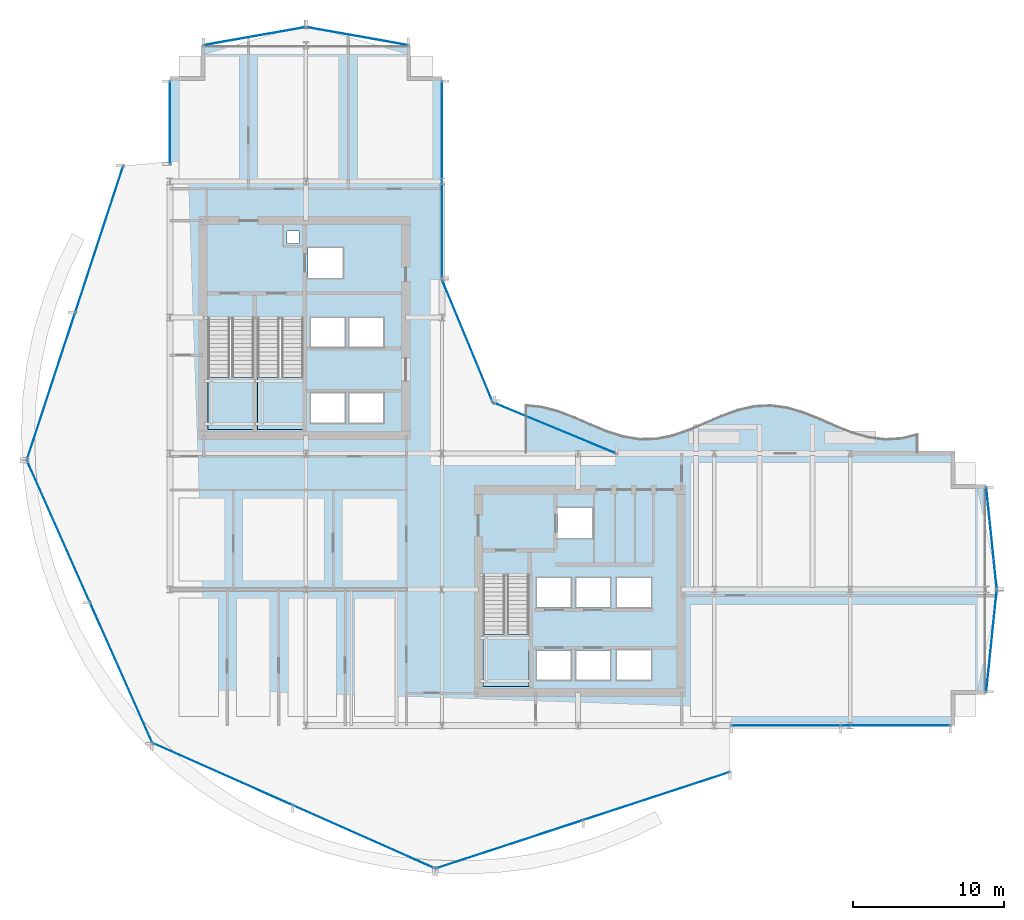
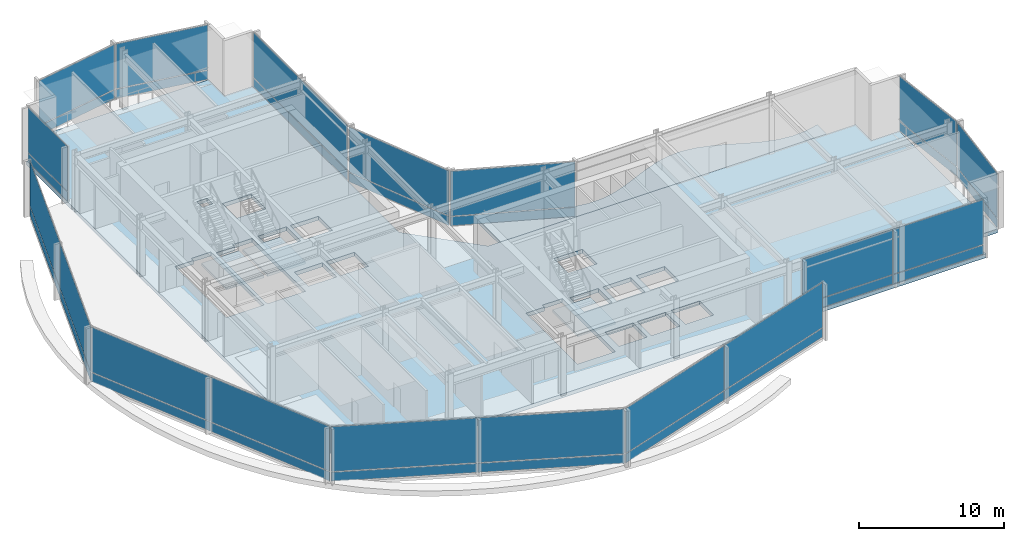
# One storey, part 28 of 39: 36 plates, 5 slabs, 16 elements without a shape of their own.
"""IFC4 building model written with IfcOpenShell, lengths in metres."""

import ifcopenshell
import ifcopenshell.guid

model = None  # the IFC model being written
_history = None  # IfcOwnerHistory: only IFC2X3 demands one
_inside = {}  # id of a spatial element -> (the spatial element, [elements in it])
_under = {}  # id of a project, library or spatial element -> (it, [spatial elements below it])
_declared = {}  # id of a project -> (the project, [libraries it declares])
_typed = {}  # id of a type object -> (the type object, [elements of that type])
_made_of = {}  # id of a material, layer set ... -> (it, [elements and type objects made of it])


def new_model(schema):
    """Start an empty IFC model of exactly this schema.

    Asked for "IFC4X3", IfcOpenShell would pick the latest addendum, in which some entities
    have other attributes; the version numbers below select the first issue.
    IFC2X3 requires an IfcOwnerHistory on every rooted entity: one is made here for all.
    """
    global model, _history
    if schema == "IFC4X3":
        model = ifcopenshell.file(schema_version=(4, 3, 0, 0))
    else:
        model = ifcopenshell.file(schema=schema)
    _inside.clear()
    _under.clear()
    _declared.clear()
    _typed.clear()
    _made_of.clear()
    _history = None
    if model.schema == "IFC2X3":
        org = make("IfcOrganization", Name="unknown")
        user = make(
            "IfcPersonAndOrganization",
            ThePerson=make("IfcPerson", FamilyName="unknown"),
            TheOrganization=org,
        )
        app = make(
            "IfcApplication",
            ApplicationDeveloper=org,
            Version="unknown",
            ApplicationFullName="unknown",
            ApplicationIdentifier="unknown",
        )
        _history = make(
            "IfcOwnerHistory",
            OwningUser=user,
            OwningApplication=app,
            ChangeAction="ADDED",
            CreationDate=0,
        )
    return model


def make(cls, **values):
    """One entity of the class cls with the attributes given. An attribute that is None is left unset."""
    return model.create_entity(
        cls, **{name: value for name, value in values.items() if value is not None}
    )


def rooted(cls, **values):
    """An entity with a GlobalId (a new one), such as an element, a storey or a relation."""
    return make(cls, GlobalId=ifcopenshell.guid.new(), OwnerHistory=_history, **values)


def si_unit(unit_type, name, prefix=None):
    """IfcSIUnit, for example si_unit("LENGTHUNIT", "METRE", prefix="MILLI")."""
    return make("IfcSIUnit", UnitType=unit_type, Prefix=prefix, Name=name)


def assignment(units):
    """IfcUnitAssignment: the units of a project."""
    return None if units is None else make("IfcUnitAssignment", Units=units)


def point(xyz):
    """IfcCartesianPoint."""
    return None if xyz is None else make("IfcCartesianPoint", Coordinates=xyz)


def direction(xyz):
    """IfcDirection."""
    return None if xyz is None else make("IfcDirection", DirectionRatios=xyz)


def frame(location, z_axis=None, x_axis=None):
    """IfcAxis2Placement3D, a coordinate frame: its origin and axes. An axis left out is left unset."""
    return make(
        "IfcAxis2Placement3D",
        Location=point(location),
        Axis=direction(z_axis),
        RefDirection=direction(x_axis),
    )


def frame_2d(location, x_axis=None):
    """IfcAxis2Placement2D, a coordinate frame in the plane: its origin and x axis."""
    return make(
        "IfcAxis2Placement2D", Location=point(location), RefDirection=direction(x_axis)
    )


def origin():
    """The frame at (0, 0, 0) with its axes left unset."""
    return frame((0.0, 0.0, 0.0))


def origin_2d():
    """The frame at (0, 0) in the plane with its x axis left unset."""
    return frame_2d((0.0, 0.0))


def place(relative_to, where):
    """IfcLocalPlacement: puts the frame where relative to a parent placement (None: the world)."""
    return make(
        "IfcLocalPlacement", PlacementRelTo=relative_to, RelativePlacement=where
    )


def context(
    kind, dimensions, precision=None, world=None, true_north=None, identifier=None
):
    """IfcGeometricRepresentationContext, for example the 3D "Model" context."""
    return make(
        "IfcGeometricRepresentationContext",
        ContextIdentifier=identifier,
        ContextType=kind,
        CoordinateSpaceDimension=dimensions,
        Precision=precision,
        WorldCoordinateSystem=world,
        TrueNorth=true_north,
    )


def subcontext(parent, identifier, kind, view, scale=None):
    """IfcGeometricRepresentationSubContext, for example "Body" below "Model"."""
    return make(
        "IfcGeometricRepresentationSubContext",
        ContextIdentifier=identifier,
        ContextType=kind,
        ParentContext=parent,
        TargetScale=scale,
        TargetView=view,
    )


def project(units=None, contexts=None):
    """IfcProject with its units and contexts."""
    return rooted(
        "IfcProject",
        Name="project",
        RepresentationContexts=contexts,
        UnitsInContext=assignment(units),
    )


def spatial(cls, under=None, at=None, **own):
    """A site, building, storey or space (cls), placed at a placement, below another one or the project."""
    s = rooted(cls, ObjectPlacement=at, **own)
    if under is not None:
        _under.setdefault(under.id(), (under, []))[1].append(s)
    return s


def polyline(points):
    """IfcPolyline through the points."""
    return make("IfcPolyline", Points=[point(p) for p in points])


def profile(cls, at=None, kind="AREA", **sizes):
    """A parametric profile (cls). Its sizes go by their IFC names, for example OverallWidth=200.0."""
    return make(cls, ProfileType=kind, Position=at, **sizes)


def rectangle(**sizes):
    """IfcRectangleProfileDef."""
    return profile("IfcRectangleProfileDef", **sizes)


def outline(outer, holes=None, kind="AREA"):
    """IfcArbitraryClosedProfileDef: a profile drawn as a closed curve; with holes, ...WithVoids."""
    if holes is None:
        return make("IfcArbitraryClosedProfileDef", ProfileType=kind, OuterCurve=outer)
    return make(
        "IfcArbitraryProfileDefWithVoids",
        ProfileType=kind,
        OuterCurve=outer,
        InnerCurves=holes,
    )


def extrude(swept, where, along, depth):
    """IfcExtrudedAreaSolid: the profile swept, set in the frame where, extruded along a direction by depth."""
    return make(
        "IfcExtrudedAreaSolid",
        SweptArea=swept,
        Position=where,
        ExtrudedDirection=direction(along),
        Depth=depth,
    )


def shape(context_of_items, identifier, shape_type, items):
    """IfcShapeRepresentation: the items that make up one representation, for example the "Body"."""
    return make(
        "IfcShapeRepresentation",
        ContextOfItems=context_of_items,
        RepresentationIdentifier=identifier,
        RepresentationType=shape_type,
        Items=items,
    )


def material(Name=None, Category=None):
    """IfcMaterial."""
    return make("IfcMaterial", Name=Name, Category=Category)


def layer(
    of_material, thickness, ventilated=None, Name=None, Category=None, Priority=None
):
    """IfcMaterialLayer: one layer of a wall or slab, of a material (None: an air gap)."""
    return make(
        "IfcMaterialLayer",
        Material=of_material,
        LayerThickness=thickness,
        IsVentilated=ventilated,
        Name=Name,
        Category=Category,
        Priority=Priority,
    )


def layer_set(layers, Name=None):
    """IfcMaterialLayerSet."""
    return make("IfcMaterialLayerSet", MaterialLayers=layers, LayerSetName=Name)


def made_of(thing, what):
    """Note that an element or type object is made of a material, layer set ...; save() writes the relation."""
    if what is not None:
        _made_of.setdefault(what.id(), (what, []))[1].append(thing)
    return thing


def type_object(cls, material=None, **own):
    """A type object (cls), such as IfcWallType, which elements share."""
    return made_of(rooted(cls, **own), material)


def element(
    cls,
    number,
    at=None,
    inside=None,
    cuts=None,
    type_object=None,
    material=None,
    context=None,
    identifier="Body",
    shape_type=None,
    held_by="IfcProductDefinitionShape",
    body=None,
    shapes=None,
    **own,
):
    """One element of the class cls, such as IfcWall. Its Tag is "e" and its number.

    at: its placement. inside: the storey or other place that contains it. cuts: it is an
    opening in that element (IfcRelVoidsElement). A single representation is given by context,
    identifier, shape_type and body (its items); several are given by shapes. held_by: the class
    of the entity that holds the representations. save() writes the other relations.
    """
    e = rooted(cls, Tag="e%d" % number, ObjectPlacement=at, **own)
    if body is not None:
        shapes = [shape(context, identifier, shape_type, body)]
    if shapes is not None:
        e.Representation = make(held_by, Representations=shapes)
    if inside is not None:
        _inside.setdefault(inside.id(), (inside, []))[1].append(e)
    if cuts is not None:
        rooted(
            "IfcRelVoidsElement", RelatingBuildingElement=cuts, RelatedOpeningElement=e
        )
    if type_object is not None:
        _typed.setdefault(type_object.id(), (type_object, []))[1].append(e)
    return made_of(e, material)


def aggregate(whole, parts):
    """IfcRelAggregates: a whole, such as a stair, and the parts it consists of."""
    return rooted("IfcRelAggregates", RelatingObject=whole, RelatedObjects=parts)


def save(model, path):
    """Write the relations noted so far, then the file.

    IfcRelAggregates (storeys below a building ...), IfcRelContainedInSpatialStructure (elements
    in a storey), IfcRelDefinesByType, IfcRelAssociatesMaterial and IfcRelDeclares: one each for
    every whole, place, type object, material and project.
    """
    for whole, parts in _under.values():
        aggregate(whole, parts)
    for where, things in _inside.values():
        rooted(
            "IfcRelContainedInSpatialStructure",
            RelatedElements=things,
            RelatingStructure=where,
        )
    for kind, things in _typed.values():
        rooted("IfcRelDefinesByType", RelatedObjects=things, RelatingType=kind)
    for what, things in _made_of.values():
        rooted("IfcRelAssociatesMaterial", RelatedObjects=things, RelatingMaterial=what)
    for by, libraries in _declared.values():
        rooted("IfcRelDeclares", RelatingContext=by, RelatedDefinitions=libraries)
    model.write(path)


model = new_model("IFC4")

# Units and contexts
model_context = context("Model", 3, precision=1e-05, world=origin(), true_north=direction((0.0, 1.0)))
body_context = subcontext(model_context, "Body", "Model", "MODEL_VIEW")
ifc_project = project(units=[si_unit("LENGTHUNIT", "METRE"), si_unit("AREAUNIT", "SQUARE_METRE"), si_unit("VOLUMEUNIT", "CUBIC_METRE"), si_unit("PLANEANGLEUNIT", "RADIAN"), si_unit("MASSUNIT", "GRAM", prefix="KILO")], contexts=[model_context])

# Site, building, storey
site_placement = place(None, origin())
site = spatial("IfcSite", under=ifc_project, at=site_placement, CompositionType="ELEMENT")
building_placement = place(site_placement, origin())
building = spatial("IfcBuilding", under=site, at=building_placement, Name="Solvaryn Broadcast Tower", CompositionType="ELEMENT")
storey_placement = place(building_placement, frame((0.0, 0.0, 84.10009765625)))
storey = spatial("IfcBuildingStorey", under=building, at=storey_placement, Name="L20", CompositionType="ELEMENT", Elevation=84.10009765625)

# Curtain wall, plates
ifc_material_1 = material(Name="Aluminium and Terracotta Unitised Curtain Wall", Category="masonry")
ifc_layer_1 = layer(ifc_material_1, 0.25)
ifc_layer_set_1 = layer_set([ifc_layer_1], Name="CW-SYS4-SKYGARDEN")
curtain_wall_type = type_object("IfcCurtainWallType", Name="CW-SYS4-SKYGARDEN", PredefinedType="NOTDEFINED", material=ifc_layer_set_1)
curtain_wall_1_placement = place(storey_placement, origin())
curtain_wall_1 = element("IfcCurtainWall", 1, at=curtain_wall_1_placement, inside=storey, type_object=curtain_wall_type, Name="L20 Curtain Wall DR1", PredefinedType="NOTDEFINED")
ifc_material_2 = material(Name="Low-Iron Insulated Vision Glass", Category="glass")
ifc_layer_2 = layer(ifc_material_2, 0.035888671875)
ifc_layer_set_2 = layer_set([ifc_layer_2], Name="CW-PNL-VISION")
plate_type = type_object("IfcPlateType", Name="CW-PNL-VISION", PredefinedType="CURTAIN_PANEL", material=ifc_layer_set_2)
plate_1_placement = place(storey_placement, frame((4.31640625, 41.1376953125, 0.06005859375), z_axis=(0.0, 0.0, 1.0), x_axis=(-0.311594044587, -0.950215318429, 0.0)))
plate_1 = element("IfcPlate", 2, at=plate_1_placement, type_object=plate_type, Name="CWS4 panel 1.1", PredefinedType="CURTAIN_PANEL", context=body_context, shape_type="SweptSolid", body=[
    extrude(rectangle(XDim=10.147705078125, YDim=0.028076171875, at=origin_2d()), origin(), (0.0, 0.0, 1.0), 0.760009765625),
])
plate_2_placement = place(storey_placement, frame((4.31640625, 41.1376953125, 0.8798828125), z_axis=(0.0, 0.0, 1.0), x_axis=(-0.311594044587, -0.950215318429, 0.0)))
plate_2 = element("IfcPlate", 3, at=plate_2_placement, type_object=plate_type, Name="CWS4 panel 1.2", PredefinedType="CURTAIN_PANEL", context=body_context, shape_type="SweptSolid", body=[
    extrude(rectangle(XDim=10.147705078125, YDim=0.028076171875, at=origin_2d()), origin(), (0.0, 0.0, 1.0), 3.780029296875),
])
plate_3_placement = place(storey_placement, frame((1.1357421875, 31.438232421875, 0.06005859375), z_axis=(0.0, 0.0, 1.0), x_axis=(-0.311594044587, -0.950215318429, 0.0)))
plate_3 = element("IfcPlate", 4, at=plate_3_placement, type_object=plate_type, Name="CWS4 panel 2.1", PredefinedType="CURTAIN_PANEL", context=body_context, shape_type="SweptSolid", body=[
    extrude(rectangle(XDim=10.147705078125, YDim=0.028076171875, at=origin_2d()), origin(), (0.0, 0.0, 1.0), 0.760009765625),
])
plate_4_placement = place(storey_placement, frame((1.1357421875, 31.438232421875, 0.8798828125), z_axis=(0.0, 0.0, 1.0), x_axis=(-0.311594044587, -0.950215318429, 0.0)))
plate_4 = element("IfcPlate", 5, at=plate_4_placement, type_object=plate_type, Name="CWS4 panel 2.2", PredefinedType="CURTAIN_PANEL", context=body_context, shape_type="SweptSolid", body=[
    extrude(rectangle(XDim=10.147705078125, YDim=0.028076171875, at=origin_2d()), origin(), (0.0, 0.0, 1.0), 3.780029296875),
])
aggregate(curtain_wall_1, [plate_1, plate_2, plate_3, plate_4])

curtain_wall_2_placement = place(storey_placement, origin())
curtain_wall_2 = element("IfcCurtainWall", 6, at=curtain_wall_2_placement, inside=storey, type_object=curtain_wall_type, Name="L20 Curtain Wall DR2", PredefinedType="NOTDEFINED")
plate_5_placement = place(storey_placement, frame((1.619873046875, 21.867919921875, 0.06005859375), z_axis=(0.0, 0.0, 1.0), x_axis=(0.405898286554, -0.913918257271, 0.0)))
plate_5 = element("IfcPlate", 7, at=plate_5_placement, type_object=plate_type, Name="CWS4 panel 1.1", PredefinedType="CURTAIN_PANEL", context=body_context, shape_type="SweptSolid", body=[
    extrude(rectangle(XDim=10.147705078125, YDim=0.028076171875, at=origin_2d()), origin(), (0.0, 0.0, 1.0), 0.760009765625),
])
plate_6_placement = place(storey_placement, frame((1.619873046875, 21.867919921875, 0.8798828125), z_axis=(0.0, 0.0, 1.0), x_axis=(0.405898286554, -0.913918257271, 0.0)))
plate_6 = element("IfcPlate", 8, at=plate_6_placement, type_object=plate_type, Name="CWS4 panel 1.2", PredefinedType="CURTAIN_PANEL", context=body_context, shape_type="SweptSolid", body=[
    extrude(rectangle(XDim=10.147705078125, YDim=0.028076171875, at=origin_2d()), origin(), (0.0, 0.0, 1.0), 3.780029296875),
])
plate_7_placement = place(storey_placement, frame((5.76318359375, 12.5390625, 0.06005859375), z_axis=(0.0, 0.0, 1.0), x_axis=(0.405898286554, -0.913918257271, 0.0)))
plate_7 = element("IfcPlate", 9, at=plate_7_placement, type_object=plate_type, Name="CWS4 panel 2.1", PredefinedType="CURTAIN_PANEL", context=body_context, shape_type="SweptSolid", body=[
    extrude(rectangle(XDim=10.147705078125, YDim=0.028076171875, at=origin_2d()), origin(), (0.0, 0.0, 1.0), 0.760009765625),
])
plate_8_placement = place(storey_placement, frame((5.76318359375, 12.5390625, 0.8798828125), z_axis=(0.0, 0.0, 1.0), x_axis=(0.405898286554, -0.913918257271, 0.0)))
plate_8 = element("IfcPlate", 10, at=plate_8_placement, type_object=plate_type, Name="CWS4 panel 2.2", PredefinedType="CURTAIN_PANEL", context=body_context, shape_type="SweptSolid", body=[
    extrude(rectangle(XDim=10.147705078125, YDim=0.028076171875, at=origin_2d()), origin(), (0.0, 0.0, 1.0), 3.780029296875),
])
aggregate(curtain_wall_2, [plate_5, plate_6, plate_7, plate_8])

curtain_wall_3_placement = place(storey_placement, origin())
curtain_wall_3 = element("IfcCurtainWall", 11, at=curtain_wall_3_placement, inside=storey, type_object=curtain_wall_type, Name="L20 Curtain Wall DR3", PredefinedType="NOTDEFINED")
plate_9_placement = place(storey_placement, frame((12.5390625, 5.76318359375, 0.06005859375), z_axis=(0.0, 0.0, 1.0), x_axis=(0.913918257271, -0.405898286554, 0.0)))
plate_9 = element("IfcPlate", 12, at=plate_9_placement, type_object=plate_type, Name="CWS4 panel 1.1", PredefinedType="CURTAIN_PANEL", context=body_context, shape_type="SweptSolid", body=[
    extrude(rectangle(XDim=10.147705078125, YDim=0.028076171875, at=origin_2d()), origin(), (0.0, 0.0, 1.0), 0.760009765625),
])
plate_10_placement = place(storey_placement, frame((12.5390625, 5.76318359375, 0.8798828125), z_axis=(0.0, 0.0, 1.0), x_axis=(0.913918257271, -0.405898286554, 0.0)))
plate_10 = element("IfcPlate", 13, at=plate_10_placement, type_object=plate_type, Name="CWS4 panel 1.2", PredefinedType="CURTAIN_PANEL", context=body_context, shape_type="SweptSolid", body=[
    extrude(rectangle(XDim=10.147705078125, YDim=0.028076171875, at=origin_2d()), origin(), (0.0, 0.0, 1.0), 3.780029296875),
])
plate_11_placement = place(storey_placement, frame((21.867919921875, 1.619873046875, 0.06005859375), z_axis=(0.0, 0.0, 1.0), x_axis=(0.913918257271, -0.405898286554, 0.0)))
plate_11 = element("IfcPlate", 14, at=plate_11_placement, type_object=plate_type, Name="CWS4 panel 2.1", PredefinedType="CURTAIN_PANEL", context=body_context, shape_type="SweptSolid", body=[
    extrude(rectangle(XDim=10.147705078125, YDim=0.028076171875, at=origin_2d()), origin(), (0.0, 0.0, 1.0), 0.760009765625),
])
plate_12_placement = place(storey_placement, frame((21.867919921875, 1.619873046875, 0.8798828125), z_axis=(0.0, 0.0, 1.0), x_axis=(0.913918257271, -0.405898286554, 0.0)))
plate_12 = element("IfcPlate", 15, at=plate_12_placement, type_object=plate_type, Name="CWS4 panel 2.2", PredefinedType="CURTAIN_PANEL", context=body_context, shape_type="SweptSolid", body=[
    extrude(rectangle(XDim=10.147705078125, YDim=0.028076171875, at=origin_2d()), origin(), (0.0, 0.0, 1.0), 3.780029296875),
])
aggregate(curtain_wall_3, [plate_9, plate_10, plate_11, plate_12])

curtain_wall_4_placement = place(storey_placement, origin())
curtain_wall_4 = element("IfcCurtainWall", 16, at=curtain_wall_4_placement, inside=storey, type_object=curtain_wall_type, Name="L20 Curtain Wall DR4", PredefinedType="NOTDEFINED")
plate_13_placement = place(storey_placement, frame((31.438232421875, 1.1357421875, 0.06005859375), z_axis=(0.0, 0.0, 1.0), x_axis=(0.950215318429, 0.311594044587, 0.0)))
plate_13 = element("IfcPlate", 17, at=plate_13_placement, type_object=plate_type, Name="CWS4 panel 1.1", PredefinedType="CURTAIN_PANEL", context=body_context, shape_type="SweptSolid", body=[
    extrude(rectangle(XDim=10.147705078125, YDim=0.028076171875, at=origin_2d()), origin(), (0.0, 0.0, 1.0), 0.760009765625),
])
plate_14_placement = place(storey_placement, frame((31.438232421875, 1.1357421875, 0.8798828125), z_axis=(0.0, 0.0, 1.0), x_axis=(0.950215318429, 0.311594044587, 0.0)))
plate_14 = element("IfcPlate", 18, at=plate_14_placement, type_object=plate_type, Name="CWS4 panel 1.2", PredefinedType="CURTAIN_PANEL", context=body_context, shape_type="SweptSolid", body=[
    extrude(rectangle(XDim=10.147705078125, YDim=0.028076171875, at=origin_2d()), origin(), (0.0, 0.0, 1.0), 3.780029296875),
])
plate_15_placement = place(storey_placement, frame((41.1376953125, 4.31640625, 0.06005859375), z_axis=(0.0, 0.0, 1.0), x_axis=(0.950215318429, 0.311594044587, 0.0)))
plate_15 = element("IfcPlate", 19, at=plate_15_placement, type_object=plate_type, Name="CWS4 panel 2.1", PredefinedType="CURTAIN_PANEL", context=body_context, shape_type="SweptSolid", body=[
    extrude(rectangle(XDim=10.147705078125, YDim=0.028076171875, at=origin_2d()), origin(), (0.0, 0.0, 1.0), 0.760009765625),
])
plate_16_placement = place(storey_placement, frame((41.1376953125, 4.31640625, 0.8798828125), z_axis=(0.0, 0.0, 1.0), x_axis=(0.950215318429, 0.311594044587, 0.0)))
plate_16 = element("IfcPlate", 20, at=plate_16_placement, type_object=plate_type, Name="CWS4 panel 2.2", PredefinedType="CURTAIN_PANEL", context=body_context, shape_type="SweptSolid", body=[
    extrude(rectangle(XDim=10.147705078125, YDim=0.028076171875, at=origin_2d()), origin(), (0.0, 0.0, 1.0), 3.780029296875),
])
aggregate(curtain_wall_4, [plate_13, plate_14, plate_15, plate_16])

curtain_wall_5_placement = place(storey_placement, origin())
curtain_wall_5 = element("IfcCurtainWall", 21, at=curtain_wall_5_placement, inside=storey, type_object=curtain_wall_type, Name="L20 Curtain Wall W2", PredefinedType="NOTDEFINED")
plate_17_placement = place(storey_placement, frame((9.0, 48.883056640625, 0.06005859375), z_axis=(0.0, 0.0, 1.0), x_axis=(0.0, 1.0, 0.0)))
plate_17 = element("IfcPlate", 22, at=plate_17_placement, type_object=plate_type, Name="CWS4 panel 1.1", PredefinedType="CURTAIN_PANEL", context=body_context, shape_type="SweptSolid", body=[
    extrude(rectangle(XDim=5.4140625, YDim=0.028076171875, at=origin_2d()), origin(), (0.0, 0.0, 1.0), 0.760009765625),
])
plate_18_placement = place(storey_placement, frame((9.0, 48.883056640625, 0.8798828125), z_axis=(0.0, 0.0, 1.0), x_axis=(0.0, 1.0, 0.0)))
plate_18 = element("IfcPlate", 23, at=plate_18_placement, type_object=plate_type, Name="CWS4 panel 1.2", PredefinedType="CURTAIN_PANEL", context=body_context, shape_type="SweptSolid", body=[
    extrude(rectangle(XDim=5.4140625, YDim=0.028076171875, at=origin_2d()), origin(), (0.0, 0.0, 1.0), 3.780029296875),
])
aggregate(curtain_wall_5, [plate_17, plate_18])

curtain_wall_6_placement = place(storey_placement, origin())
curtain_wall_6 = element("IfcCurtainWall", 24, at=curtain_wall_6_placement, inside=storey, type_object=curtain_wall_type, Name="L20 Curtain Wall IV", PredefinedType="NOTDEFINED")
plate_19_placement = place(storey_placement, frame((27.0, 45.125, 0.06005859375), z_axis=(0.0, 0.0, 1.0), x_axis=(0.0, -1.0, 0.0)))
plate_19 = element("IfcPlate", 25, at=plate_19_placement, type_object=plate_type, Name="CWS4 panel 1.1", PredefinedType="CURTAIN_PANEL", context=body_context, shape_type="SweptSolid", body=[
    extrude(rectangle(XDim=12.929931640625, YDim=0.028076171875, at=origin_2d()), origin(), (0.0, 0.0, 1.0), 0.760009765625),
])
plate_20_placement = place(storey_placement, frame((27.0, 45.125, 0.8798828125), z_axis=(0.0, 0.0, 1.0), x_axis=(0.0, -1.0, 0.0)))
plate_20 = element("IfcPlate", 26, at=plate_20_placement, type_object=plate_type, Name="CWS4 panel 1.2", PredefinedType="CURTAIN_PANEL", context=body_context, shape_type="SweptSolid", body=[
    extrude(rectangle(XDim=12.929931640625, YDim=0.028076171875, at=origin_2d()), origin(), (0.0, 0.0, 1.0), 3.780029296875),
])
aggregate(curtain_wall_6, [plate_19, plate_20])

curtain_wall_7_placement = place(storey_placement, origin())
curtain_wall_7 = element("IfcCurtainWall", 27, at=curtain_wall_7_placement, inside=storey, type_object=curtain_wall_type, Name="L20 Curtain Wall CN1", PredefinedType="NOTDEFINED")
plate_21_placement = place(storey_placement, frame((34.43408203125, 28.68408203125, 0.06005859375), z_axis=(0.0, 0.0, 1.0), x_axis=(-0.923894983957, 0.382646127145, 0.0)))
plate_21 = element("IfcPlate", 28, at=plate_21_placement, type_object=plate_type, Name="CWS4 panel 1.1", PredefinedType="CURTAIN_PANEL", context=body_context, shape_type="SweptSolid", body=[
    extrude(rectangle(XDim=8.681884765625, YDim=0.028076171875, at=origin_2d()), origin(), (0.0, 0.0, 1.0), 0.760009765625),
])
plate_22_placement = place(storey_placement, frame((34.43408203125, 28.68408203125, 0.8798828125), z_axis=(0.0, 0.0, 1.0), x_axis=(-0.923894983957, 0.382646127145, 0.0)))
plate_22 = element("IfcPlate", 29, at=plate_22_placement, type_object=plate_type, Name="CWS4 panel 1.2", PredefinedType="CURTAIN_PANEL", context=body_context, shape_type="SweptSolid", body=[
    extrude(rectangle(XDim=8.681884765625, YDim=0.028076171875, at=origin_2d()), origin(), (0.0, 0.0, 1.0), 3.780029296875),
])
aggregate(curtain_wall_7, [plate_21, plate_22])

curtain_wall_8_placement = place(storey_placement, origin())
curtain_wall_8 = element("IfcCurtainWall", 30, at=curtain_wall_8_placement, inside=storey, type_object=curtain_wall_type, Name="L20 Curtain Wall CN2", PredefinedType="NOTDEFINED")
plate_23_placement = place(storey_placement, frame((28.68408203125, 34.43408203125, 0.06005859375), z_axis=(0.0, 0.0, 1.0), x_axis=(-0.382646127145, 0.923894983957, 0.0)))
plate_23 = element("IfcPlate", 31, at=plate_23_placement, type_object=plate_type, Name="CWS4 panel 1.1", PredefinedType="CURTAIN_PANEL", context=body_context, shape_type="SweptSolid", body=[
    extrude(rectangle(XDim=8.681884765625, YDim=0.028076171875, at=origin_2d()), origin(), (0.0, 0.0, 1.0), 0.760009765625),
])
plate_24_placement = place(storey_placement, frame((28.68408203125, 34.43408203125, 0.8798828125), z_axis=(0.0, 0.0, 1.0), x_axis=(-0.382646127145, 0.923894983957, 0.0)))
plate_24 = element("IfcPlate", 32, at=plate_24_placement, type_object=plate_type, Name="CWS4 panel 1.2", PredefinedType="CURTAIN_PANEL", context=body_context, shape_type="SweptSolid", body=[
    extrude(rectangle(XDim=8.681884765625, YDim=0.028076171875, at=origin_2d()), origin(), (0.0, 0.0, 1.0), 3.780029296875),
])
aggregate(curtain_wall_8, [plate_23, plate_24])

curtain_wall_9_placement = place(storey_placement, origin())
curtain_wall_9 = element("IfcCurtainWall", 33, at=curtain_wall_9_placement, inside=storey, type_object=curtain_wall_type, Name="L20 Curtain Wall S2", PredefinedType="NOTDEFINED")
plate_25_placement = place(storey_placement, frame((49.764404296875, 9.0, 0.06005859375), z_axis=(0.0, 0.0, 1.0), x_axis=(1.0, 0.0, 0.0)))
plate_25 = element("IfcPlate", 34, at=plate_25_placement, type_object=plate_type, Name="CWS4 panel 1.1", PredefinedType="CURTAIN_PANEL", context=body_context, shape_type="SweptSolid", body=[
    extrude(rectangle(XDim=7.177001953125, YDim=0.028076171875, at=origin_2d()), origin(), (0.0, 0.0, 1.0), 0.760009765625),
])
plate_26_placement = place(storey_placement, frame((49.764404296875, 9.0, 0.8798828125), z_axis=(0.0, 0.0, 1.0), x_axis=(1.0, 0.0, 0.0)))
plate_26 = element("IfcPlate", 35, at=plate_26_placement, type_object=plate_type, Name="CWS4 panel 1.2", PredefinedType="CURTAIN_PANEL", context=body_context, shape_type="SweptSolid", body=[
    extrude(rectangle(XDim=7.177001953125, YDim=0.028076171875, at=origin_2d()), origin(), (0.0, 0.0, 1.0), 3.780029296875),
])
plate_27_placement = place(storey_placement, frame((57.00146484375, 9.0, 0.06005859375), z_axis=(0.0, 0.0, 1.0), x_axis=(1.0, 0.0, 0.0)))
plate_27 = element("IfcPlate", 36, at=plate_27_placement, type_object=plate_type, Name="CWS4 panel 2.1", PredefinedType="CURTAIN_PANEL", context=body_context, shape_type="SweptSolid", body=[
    extrude(rectangle(XDim=7.177001953125, YDim=0.028076171875, at=origin_2d()), origin(), (0.0, 0.0, 1.0), 0.760009765625),
])
plate_28_placement = place(storey_placement, frame((57.00146484375, 9.0, 0.8798828125), z_axis=(0.0, 0.0, 1.0), x_axis=(1.0, 0.0, 0.0)))
plate_28 = element("IfcPlate", 37, at=plate_28_placement, type_object=plate_type, Name="CWS4 panel 2.2", PredefinedType="CURTAIN_PANEL", context=body_context, shape_type="SweptSolid", body=[
    extrude(rectangle(XDim=7.177001953125, YDim=0.028076171875, at=origin_2d()), origin(), (0.0, 0.0, 1.0), 3.780029296875),
])
aggregate(curtain_wall_9, [plate_25, plate_26, plate_27, plate_28])

curtain_wall_10_placement = place(storey_placement, origin())
curtain_wall_10 = element("IfcCurtainWall", 38, at=curtain_wall_10_placement, inside=storey, type_object=curtain_wall_type, Name="L20 Curtain Wall NT1", PredefinedType="NOTDEFINED")
plate_29_placement = place(storey_placement, frame((21.39990234375, 54.60009765625, 0.06005859375), z_axis=(0.0, 0.0, 1.0), x_axis=(-0.984783558819, 0.173785333901, 0.0)))
plate_29 = element("IfcPlate", 39, at=plate_29_placement, type_object=plate_type, Name="CWS4 panel 1.1", PredefinedType="CURTAIN_PANEL", context=body_context, shape_type="SweptSolid", body=[
    extrude(rectangle(XDim=6.78515625, YDim=0.028076171875, at=origin_2d()), origin(), (0.0, 0.0, 1.0), 0.760009765625),
])
plate_30_placement = place(storey_placement, frame((21.39990234375, 54.60009765625, 0.8798828125), z_axis=(0.0, 0.0, 1.0), x_axis=(-0.984783558819, 0.173785333901, 0.0)))
plate_30 = element("IfcPlate", 40, at=plate_30_placement, type_object=plate_type, Name="CWS4 panel 1.2", PredefinedType="CURTAIN_PANEL", context=body_context, shape_type="SweptSolid", body=[
    extrude(rectangle(XDim=6.78515625, YDim=0.028076171875, at=origin_2d()), origin(), (0.0, 0.0, 1.0), 3.780029296875),
])
aggregate(curtain_wall_10, [plate_29, plate_30])

curtain_wall_11_placement = place(storey_placement, origin())
curtain_wall_11 = element("IfcCurtainWall", 41, at=curtain_wall_11_placement, inside=storey, type_object=curtain_wall_type, Name="L20 Curtain Wall NT2", PredefinedType="NOTDEFINED")
plate_31_placement = place(storey_placement, frame((14.60009765625, 54.60009765625, 0.06005859375), z_axis=(0.0, 0.0, 1.0), x_axis=(-0.984783558819, -0.173785333901, 0.0)))
plate_31 = element("IfcPlate", 42, at=plate_31_placement, type_object=plate_type, Name="CWS4 panel 1.1", PredefinedType="CURTAIN_PANEL", context=body_context, shape_type="SweptSolid", body=[
    extrude(rectangle(XDim=6.78515625, YDim=0.028076171875, at=origin_2d()), origin(), (0.0, 0.0, 1.0), 0.760009765625),
])
plate_32_placement = place(storey_placement, frame((14.60009765625, 54.60009765625, 0.8798828125), z_axis=(0.0, 0.0, 1.0), x_axis=(-0.984783558819, -0.173785333901, 0.0)))
plate_32 = element("IfcPlate", 43, at=plate_32_placement, type_object=plate_type, Name="CWS4 panel 1.2", PredefinedType="CURTAIN_PANEL", context=body_context, shape_type="SweptSolid", body=[
    extrude(rectangle(XDim=6.78515625, YDim=0.028076171875, at=origin_2d()), origin(), (0.0, 0.0, 1.0), 3.780029296875),
])
aggregate(curtain_wall_11, [plate_31, plate_32])

curtain_wall_12_placement = place(storey_placement, origin())
curtain_wall_12 = element("IfcCurtainWall", 44, at=curtain_wall_12_placement, inside=storey, type_object=curtain_wall_type, Name="L20 Curtain Wall ET1", PredefinedType="NOTDEFINED")
plate_33_placement = place(storey_placement, frame((63.35009765625, 21.39990234375, 0.06005859375), z_axis=(0.0, 0.0, 1.0), x_axis=(0.10240004548, -0.99474329889, 0.0)))
plate_33 = element("IfcPlate", 45, at=plate_33_placement, type_object=plate_type, Name="CWS4 panel 1.1", PredefinedType="CURTAIN_PANEL", context=body_context, shape_type="SweptSolid", body=[
    extrude(rectangle(XDim=6.7158203125, YDim=0.028076171875, at=origin_2d()), origin(), (0.0, 0.0, 1.0), 0.760009765625),
])
plate_34_placement = place(storey_placement, frame((63.35009765625, 21.39990234375, 0.8798828125), z_axis=(0.0, 0.0, 1.0), x_axis=(0.10240004548, -0.99474329889, 0.0)))
plate_34 = element("IfcPlate", 46, at=plate_34_placement, type_object=plate_type, Name="CWS4 panel 1.2", PredefinedType="CURTAIN_PANEL", context=body_context, shape_type="SweptSolid", body=[
    extrude(rectangle(XDim=6.7158203125, YDim=0.028076171875, at=origin_2d()), origin(), (0.0, 0.0, 1.0), 3.780029296875),
])
aggregate(curtain_wall_12, [plate_33, plate_34])

curtain_wall_13_placement = place(storey_placement, origin())
curtain_wall_13 = element("IfcCurtainWall", 47, at=curtain_wall_13_placement, inside=storey, type_object=curtain_wall_type, Name="L20 Curtain Wall ET2", PredefinedType="NOTDEFINED")
plate_35_placement = place(storey_placement, frame((63.35009765625, 14.60009765625, 0.06005859375), z_axis=(0.0, 0.0, 1.0), x_axis=(-0.10240004548, -0.99474329889, 0.0)))
plate_35 = element("IfcPlate", 48, at=plate_35_placement, type_object=plate_type, Name="CWS4 panel 1.1", PredefinedType="CURTAIN_PANEL", context=body_context, shape_type="SweptSolid", body=[
    extrude(rectangle(XDim=6.7158203125, YDim=0.028076171875, at=origin_2d()), origin(), (0.0, 0.0, 1.0), 0.760009765625),
])
plate_36_placement = place(storey_placement, frame((63.35009765625, 14.60009765625, 0.8798828125), z_axis=(0.0, 0.0, 1.0), x_axis=(-0.10240004548, -0.99474329889, 0.0)))
plate_36 = element("IfcPlate", 49, at=plate_36_placement, type_object=plate_type, Name="CWS4 panel 1.2", PredefinedType="CURTAIN_PANEL", context=body_context, shape_type="SweptSolid", body=[
    extrude(rectangle(XDim=6.7158203125, YDim=0.028076171875, at=origin_2d()), origin(), (0.0, 0.0, 1.0), 3.780029296875),
])
aggregate(curtain_wall_13, [plate_35, plate_36])

# Stair, slab
ifc_material_3 = material(Name="Concrete f'c 60 MPa", Category="concrete")
stair_type = type_object("IfcStairType", Name="ST-CORE", PredefinedType="HALF_TURN_STAIR", material=ifc_material_3)
stair_1_placement = place(storey_placement, origin())
stair_1 = element("IfcStair", 50, at=stair_1_placement, inside=storey, type_object=stair_type, Name="L20 ST1", PredefinedType="HALF_TURN_STAIR")
ifc_material_4 = material(Name="Concrete f'c 60 MPa", Category="concrete")
ifc_layer_3 = layer(ifc_material_4, 0.199951171875)
ifc_layer_set_3 = layer_set([ifc_layer_3], Name="SL-LANDING-200")
slab_type_1 = type_object("IfcSlabType", Name="SL-LANDING-200", PredefinedType="LANDING", material=ifc_layer_set_3)
slab_1_placement = place(storey_placement, frame((0.0, 0.0, 2.2998046875)))
slab_1 = element("IfcSlab", 51, at=slab_1_placement, type_object=slab_type_1, Name="ST1 landing 1", PredefinedType="LANDING", context=body_context, shape_type="SweptSolid", body=[
    extrude(outline(polyline([(11.52001953125, 32.0400390625), (11.52001953125, 28.60009765625), (14.550048828125, 28.60009765625), (14.550048828125, 32.0400390625), (11.52001953125, 32.0400390625)])), origin(), (0.0, 0.0, 1.0), 0.2001953125),
])
aggregate(stair_1, [slab_1])

stair_2_placement = place(storey_placement, origin())
stair_2 = element("IfcStair", 52, at=stair_2_placement, inside=storey, type_object=stair_type, Name="L20 ST2", PredefinedType="HALF_TURN_STAIR")
slab_2_placement = place(storey_placement, frame((0.0, 0.0, 2.2998046875)))
slab_2 = element("IfcSlab", 53, at=slab_2_placement, type_object=slab_type_1, Name="ST2 landing 1", PredefinedType="LANDING", context=body_context, shape_type="SweptSolid", body=[
    extrude(outline(polyline([(14.800048828125, 32.0400390625), (14.800048828125, 28.60009765625), (17.830078125, 28.60009765625), (17.830078125, 32.0400390625), (14.800048828125, 32.0400390625)])), origin(), (0.0, 0.0, 1.0), 0.2001953125),
])
aggregate(stair_2, [slab_2])

stair_3_placement = place(storey_placement, origin())
stair_3 = element("IfcStair", 54, at=stair_3_placement, inside=storey, type_object=stair_type, Name="L20 ST3", PredefinedType="HALF_TURN_STAIR")
slab_3_placement = place(storey_placement, frame((0.0, 0.0, 2.2998046875)))
slab_3 = element("IfcSlab", 55, at=slab_3_placement, type_object=slab_type_1, Name="ST3 landing 1", PredefinedType="LANDING", context=body_context, shape_type="SweptSolid", body=[
    extrude(outline(polyline([(29.719970703125, 15.0400390625), (29.719970703125, 11.60009765625), (32.75, 11.60009765625), (32.75, 15.0400390625), (29.719970703125, 15.0400390625)])), origin(), (0.0, 0.0, 1.0), 0.2001953125),
])
aggregate(stair_3, [slab_3])

# Slabs
ifc_material_5 = material(Name="Concrete f'c 60 MPa", Category="concrete")
ifc_layer_4 = layer(ifc_material_5, 0.330078125)
ifc_layer_set_4 = layer_set([ifc_layer_4], Name="SL-PLT-330")
slab_type_2 = type_object("IfcSlabType", Name="SL-PLT-330", PredefinedType="FLOOR", material=ifc_layer_set_4)
slab_4_placement = place(storey_placement, frame((0.0, 0.0, -0.330078125)))
element("IfcSlab", 56, at=slab_4_placement, inside=storey, type_object=slab_type_2, Name="L20 Structural Floor Slab", PredefinedType="FLOOR", context=body_context, shape_type="SweptSolid", body=[
    extrude(outline(polyline([(11.199951171875, 9.0), (60.800048828125, 9.0), (60.800048828125, 11.199951171875), (63.0, 11.199951171875), (63.0, 24.800048828125), (60.800048828125, 24.800048828125), (60.800048828125, 27.0), (31.5, 27.0), (27.0, 31.5), (27.0, 51.800048828125), (24.800048828125, 51.800048828125), (24.800048828125, 54.0), (11.199951171875, 54.0), (11.199951171875, 51.800048828125), (9.0, 51.800048828125), (9.0, 11.199951171875), (11.199951171875, 11.199951171875), (11.199951171875, 9.0)]), holes=[polyline([(11.52001953125, 28.60009765625), (14.550048828125, 28.60009765625), (14.550048828125, 35.9599609375), (12.97998046875, 35.9599609375), (12.97998046875, 35.679931640625), (11.52001953125, 35.679931640625), (11.52001953125, 28.60009765625)]), polyline([(14.800048828125, 28.60009765625), (17.830078125, 28.60009765625), (17.830078125, 35.9599609375), (16.260009765625, 35.9599609375), (16.260009765625, 35.679931640625), (14.800048828125, 35.679931640625), (14.800048828125, 28.60009765625)]), polyline([(29.719970703125, 11.60009765625), (32.75, 11.60009765625), (32.75, 18.9599609375), (31.179931640625, 18.9599609375), (31.179931640625, 18.679931640625), (29.719970703125, 18.679931640625), (29.719970703125, 11.60009765625)]), polyline([(18.14990234375, 38.60009765625), (20.449951171875, 38.60009765625), (20.449951171875, 40.60009765625), (18.14990234375, 40.60009765625), (18.14990234375, 38.60009765625)]), polyline([(18.324951171875, 29.02490234375), (20.574951171875, 29.02490234375), (20.574951171875, 30.97509765625), (18.324951171875, 30.97509765625), (18.324951171875, 29.02490234375)]), polyline([(20.875, 29.02490234375), (23.125, 29.02490234375), (23.125, 30.97509765625), (20.875, 30.97509765625), (20.875, 29.02490234375)]), polyline([(18.324951171875, 34.02490234375), (20.574951171875, 34.02490234375), (20.574951171875, 35.97509765625), (18.324951171875, 35.97509765625), (18.324951171875, 34.02490234375)]), polyline([(20.875, 34.02490234375), (23.125, 34.02490234375), (23.125, 35.97509765625), (20.875, 35.97509765625), (20.875, 34.02490234375)]), polyline([(34.64990234375, 21.39990234375), (36.949951171875, 21.39990234375), (36.949951171875, 23.39990234375), (34.64990234375, 23.39990234375), (34.64990234375, 21.39990234375)]), polyline([(33.27490234375, 12.02490234375), (35.52490234375, 12.02490234375), (35.52490234375, 13.97509765625), (33.27490234375, 13.97509765625), (33.27490234375, 12.02490234375)]), polyline([(35.875, 12.02490234375), (38.125, 12.02490234375), (38.125, 13.97509765625), (35.875, 13.97509765625), (35.875, 12.02490234375)]), polyline([(33.27490234375, 16.824951171875), (35.52490234375, 16.824951171875), (35.52490234375, 18.77490234375), (33.27490234375, 18.77490234375), (33.27490234375, 16.824951171875)]), polyline([(35.875, 16.824951171875), (38.125, 16.824951171875), (38.125, 18.77490234375), (35.875, 18.77490234375), (35.875, 16.824951171875)]), polyline([(38.574951171875, 12.02490234375), (40.824951171875, 12.02490234375), (40.824951171875, 13.97509765625), (38.574951171875, 13.97509765625), (38.574951171875, 12.02490234375)]), polyline([(38.574951171875, 16.824951171875), (40.824951171875, 16.824951171875), (40.824951171875, 18.77490234375), (38.574951171875, 18.77490234375), (38.574951171875, 16.824951171875)]), polyline([(16.75, 40.89990234375), (17.550048828125, 40.89990234375), (17.550048828125, 41.699951171875), (16.75, 41.699951171875), (16.75, 40.89990234375)])]), origin(), (0.0, 0.0, 1.0), 0.330078125),
])
ifc_material_6 = material(Name="Concrete f'c 60 MPa", Category="concrete")
ifc_layer_5 = layer(ifc_material_6, 0.239990234375)
ifc_layer_set_5 = layer_set([ifc_layer_5], Name="SL-SKYG-240")
slab_type_3 = type_object("IfcSlabType", Name="SL-SKYG-240", PredefinedType="FLOOR", material=ifc_layer_set_5)
slab_5_placement = place(storey_placement, frame((0.0, 0.0, -0.330078125)))
element("IfcSlab", 57, at=slab_5_placement, inside=storey, type_object=slab_type_3, Name="L20 Wave-Edged Terrace Slab TSSG1", PredefinedType="FLOOR", context=body_context, shape_type="SweptSolid", body=[
    extrude(outline(polyline([(32.5, 27.0), (33.5830078125, 27.0), (34.6669921875, 27.0), (35.75, 27.0), (36.8330078125, 27.0), (37.9169921875, 27.0), (39.0, 27.0), (40.0830078125, 27.0), (41.1669921875, 27.0), (42.25, 27.0), (43.3330078125, 27.0), (44.4169921875, 27.0), (45.5, 27.0), (46.5830078125, 27.0), (47.6669921875, 27.0), (48.75, 27.0), (49.8330078125, 27.0), (50.9169921875, 27.0), (52.0, 27.0), (53.0830078125, 27.0), (54.1669921875, 27.0), (55.25, 27.0), (56.3330078125, 27.0), (57.4169921875, 27.0), (58.5, 27.0), (58.5, 28.304931640625), (57.4169921875, 28.047119140625), (56.3330078125, 27.97705078125), (55.25, 28.10791015625), (54.1669921875, 28.4150390625), (53.0830078125, 28.844970703125), (52.0, 29.319091796875), (50.9169921875, 29.7548828125), (49.8330078125, 30.073974609375), (48.75, 30.219970703125), (47.6669921875, 30.1650390625), (46.5830078125, 29.9208984375), (45.5, 29.531005859375), (44.4169921875, 29.06298828125), (43.3330078125, 28.60205078125), (42.25, 28.22998046875), (41.1669921875, 28.012939453125), (40.0830078125, 27.989990234375), (39.0, 28.1650390625), (37.9169921875, 28.506103515625), (36.8330078125, 28.952880859375), (35.75, 29.427001953125), (34.6669921875, 29.842041015625), (33.5830078125, 30.125), (32.5, 30.22509765625), (32.5, 27.0)])), origin(), (0.0, 0.0, 1.0), 0.330078125),
])

save(model, "model.ifc")
